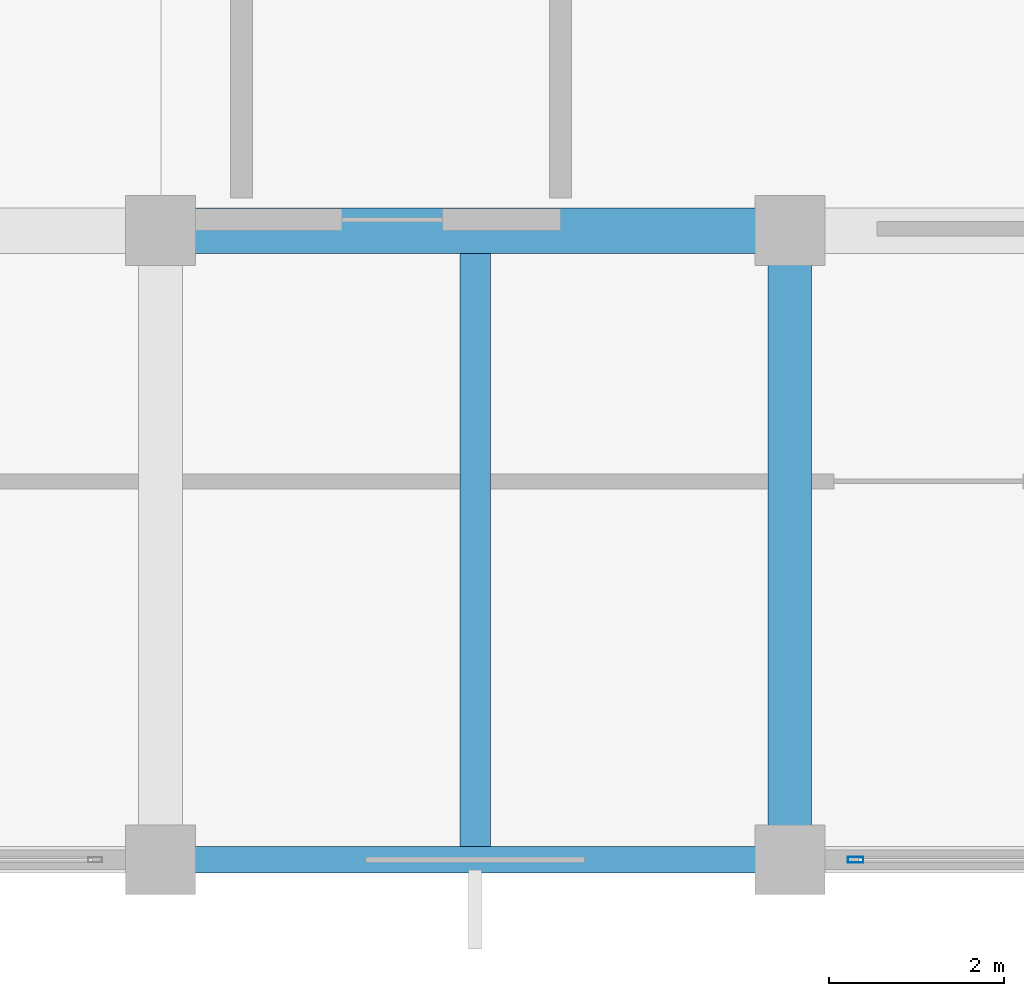
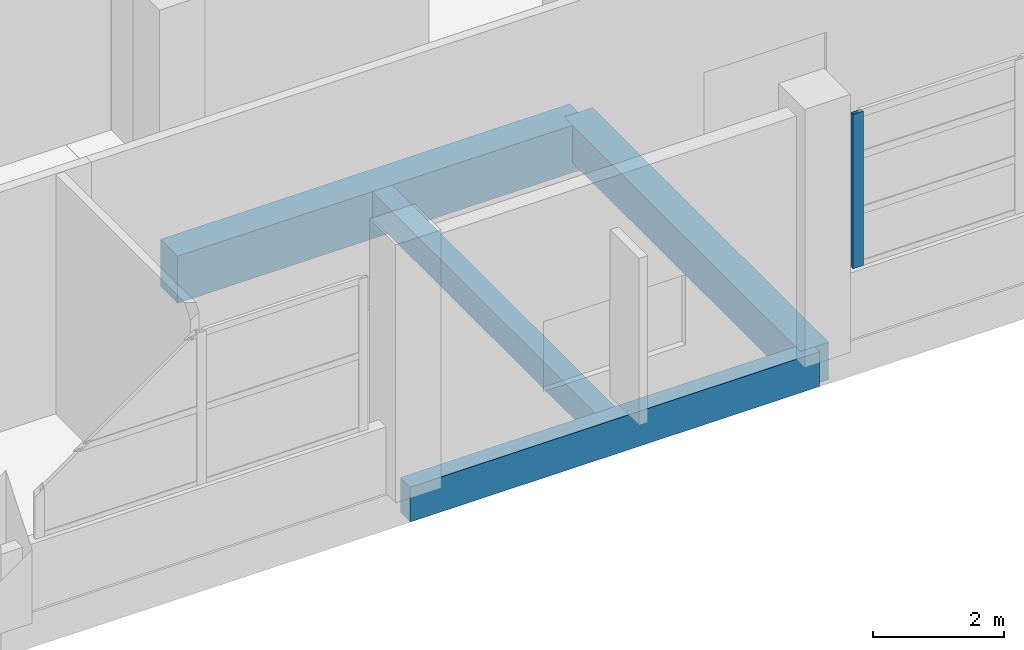
# One storey, part 28 of 140: 4 beams, 1 member, 1 element without a shape of its own.
"""IFC4 building model written with IfcOpenShell, lengths in metres."""

from ifc_helpers import new_model, si_unit, direction, frame, origin, origin_2d, place, context, subcontext, project, spatial, rectangle, hollow_rectangle, extrude, material, layer, layer_set, material_profile, profile_set, type_object, element, aggregate, save


model = new_model("IFC4")

# Units and contexts
model_context = context("Model", 3, precision=1e-05, world=origin(), true_north=direction((0.0, 1.0)))
body_context = subcontext(model_context, "Body", "Model", "MODEL_VIEW")
ifc_project = project(units=[si_unit("LENGTHUNIT", "METRE"), si_unit("AREAUNIT", "SQUARE_METRE"), si_unit("VOLUMEUNIT", "CUBIC_METRE"), si_unit("PLANEANGLEUNIT", "RADIAN"), si_unit("MASSUNIT", "GRAM", prefix="KILO")], contexts=[model_context])

# Site, building, storey
site_placement = place(None, origin())
site = spatial("IfcSite", under=ifc_project, at=site_placement, CompositionType="ELEMENT")
building_placement = place(site_placement, origin())
building = spatial("IfcBuilding", under=site, at=building_placement, Name="Seraya Terrace Polytechnic", CompositionType="ELEMENT")
storey_placement = place(building_placement, frame((0.0, 0.0, 9.60009765625)))
storey = spatial("IfcBuildingStorey", under=building, at=storey_placement, Name="L02", CompositionType="ELEMENT", Elevation=9.60009765625)

# Beams
ifc_material_1 = material(Name="Concrete C40/50", Category="concrete")
ifc_material_profile_1 = material_profile(ifc_material_1, rectangle(XDim=0.52001953125, YDim=0.8798828125, at=origin_2d()), Name="RC 520x880")
ifc_profile_set_1 = profile_set([ifc_material_profile_1], Name="Concrete C40/50")
beam_type_1 = type_object("IfcBeamType", Name="BM-04", PredefinedType="BEAM", material=ifc_profile_set_1)
beam_1_placement = place(storey_placement, frame((86.39990234375, 7.199951171875, -0.440185546875), z_axis=(1.0, 0.0, 0.0), x_axis=(0.0, 1.0, 0.0)))
element("IfcBeam", 1, at=beam_1_placement, inside=storey, type_object=beam_type_1, Name="Beam BM-04 L02 X (86.4..93.6, 7.2)", PredefinedType="BEAM", context=body_context, shape_type="SweptSolid", body=[
    extrude(rectangle(XDim=0.52001953125, YDim=0.8798828125, at=origin_2d()), origin(), (0.0, 0.0, 1.0), 7.2001953125),
])
ifc_material_profile_2 = material_profile(ifc_material_1, rectangle(XDim=0.5, YDim=0.699951171875, at=origin_2d()), Name="RC 500x700")
ifc_profile_set_2 = profile_set([ifc_material_profile_2], Name="Concrete C40/50")
beam_type_2 = type_object("IfcBeamType", Name="BM-07", PredefinedType="BEAM", material=ifc_profile_set_2)
beam_2_placement = place(storey_placement, frame((93.60009765625, 0.0, -0.35009765625), z_axis=(0.0, 1.0, 0.0), x_axis=(-1.0, 0.0, 0.0)))
element("IfcBeam", 2, at=beam_2_placement, inside=storey, type_object=beam_type_2, Name="Beam BM-07 L02 Y (93.6, 0.0..7.2)", PredefinedType="BEAM", context=body_context, shape_type="SweptSolid", body=[
    extrude(rectangle(XDim=0.5, YDim=0.699951171875, at=origin_2d()), origin(), (0.0, 0.0, 1.0), 7.199951171875),
])

# Curtain wall, member
ifc_material_2 = material(Name="Anodised aluminium EN AW-6063 T6", Category="aluminium")
ifc_layer = layer(ifc_material_2, 0.179931640625, Name="CW-01")
ifc_layer_set = layer_set([ifc_layer], Name="Anodised aluminium EN AW-6063 T6")
curtain_wall_type = type_object("IfcCurtainWallType", Name="CW-01", PredefinedType="NOTDEFINED", material=ifc_layer_set)
curtain_wall_placement = place(storey_placement, origin())
curtain_wall = element("IfcCurtainWall", 3, at=curtain_wall_placement, inside=storey, type_object=curtain_wall_type, Name="Unitised curtain wall CW-01 (CW-L02-073)", PredefinedType="NOTDEFINED")
ifc_material_profile_3 = material_profile(ifc_material_2, hollow_rectangle(XDim=0.06494140625, YDim=0.179931640625, WallThickness=0.00390625, at=origin_2d()), Name="RHS 180x65x4.0")
ifc_profile_set_3 = profile_set([ifc_material_profile_3], Name="Anodised aluminium EN AW-6063 T6")
member_type = type_object("IfcMemberType", Name="CWM-01", PredefinedType="MULLION", material=ifc_profile_set_3)
member_placement = place(storey_placement, frame((94.3525390625, 0.0, 1.239990234375), z_axis=(0.0, 0.0, 1.0), x_axis=(0.0, -1.0, 0.0)))
member = element("IfcMember", 4, at=member_placement, type_object=member_type, Name="CW-01 mullion 3", PredefinedType="MULLION", context=body_context, shape_type="SweptSolid", body=[
    extrude(hollow_rectangle(XDim=0.06494140625, YDim=0.179931640625, WallThickness=0.00390625, at=origin_2d()), origin(), (0.0, 0.0, 1.0), 2.869873046875),
])
aggregate(curtain_wall, [member])

# Beams
ifc_material_profile_4 = material_profile(ifc_material_1, rectangle(XDim=0.35009765625, YDim=0.5, at=origin_2d()), Name="RC 350x500")
ifc_profile_set_4 = profile_set([ifc_material_profile_4], Name="Concrete C40/50")
beam_type_3 = type_object("IfcBeamType", Name="JS-03", PredefinedType="JOIST", material=ifc_profile_set_4)
beam_3_placement = place(storey_placement, frame((90.0, 0.14990234375, -0.25), z_axis=(0.0, 1.0, 0.0), x_axis=(-1.0, 0.0, 0.0)))
element("IfcBeam", 5, at=beam_3_placement, inside=storey, type_object=beam_type_3, Name="Secondary joist JS-03 L02", PredefinedType="JOIST", context=body_context, shape_type="SweptSolid", body=[
    extrude(rectangle(XDim=0.35009765625, YDim=0.5, at=origin_2d()), origin(), (0.0, 0.0, 1.0), 6.7900390625),
])
ifc_material_profile_5 = material_profile(ifc_material_1, rectangle(XDim=0.300048828125, YDim=0.64990234375, at=origin_2d()), Name="RC 300x650")
ifc_profile_set_5 = profile_set([ifc_material_profile_5], Name="Concrete C40/50")
beam_type_4 = type_object("IfcBeamType", Name="SP-01", PredefinedType="SPANDREL", material=ifc_profile_set_5)
beam_4_placement = place(storey_placement, frame((86.39990234375, 0.0, -0.3251953125), z_axis=(1.0, 0.0, 0.0), x_axis=(0.0, 1.0, 0.0)))
element("IfcBeam", 6, at=beam_4_placement, inside=storey, type_object=beam_type_4, Name="Beam SP-01 L02 X (86.4..93.6, 0.0)", PredefinedType="SPANDREL", context=body_context, shape_type="SweptSolid", body=[
    extrude(rectangle(XDim=0.300048828125, YDim=0.64990234375, at=origin_2d()), origin(), (0.0, 0.0, 1.0), 7.2001953125),
])

save(model, "model.ifc")
